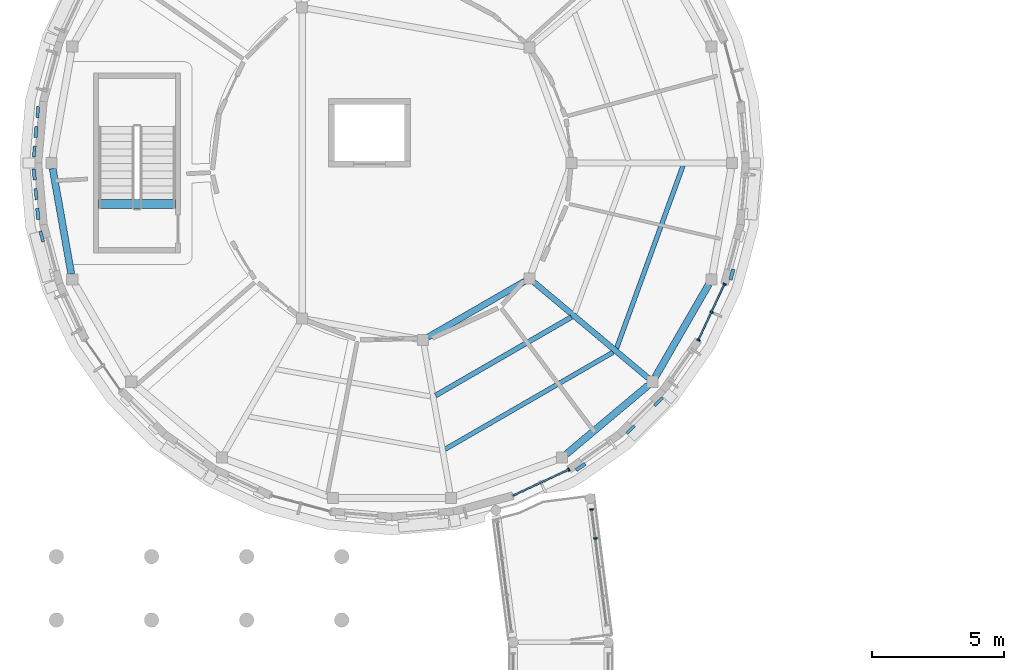
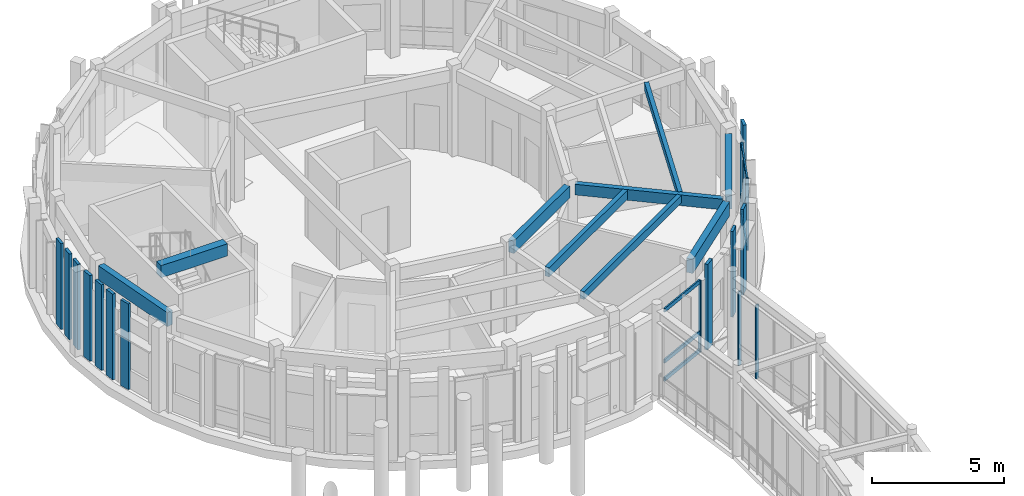
# One storey, part 19 of 80: 23 members, 9 beams, 3 elements without a shape of their own.
"""IFC4 building model written with IfcOpenShell, lengths in metres."""

from ifc_helpers import new_model, si_unit, direction, frame, origin, origin_2d, place, context, subcontext, project, spatial, rectangle, extrude, material, layer, layer_set, material_profile, profile_set, type_object, element, aggregate, save


model = new_model("IFC4")

# Units and contexts
model_context = context("Model", 3, precision=1e-05, world=origin(), true_north=direction((0.0, 1.0)))
body_context = subcontext(model_context, "Body", "Model", "MODEL_VIEW")
ifc_project = project(units=[si_unit("LENGTHUNIT", "METRE"), si_unit("AREAUNIT", "SQUARE_METRE"), si_unit("VOLUMEUNIT", "CUBIC_METRE"), si_unit("PLANEANGLEUNIT", "RADIAN"), si_unit("MASSUNIT", "GRAM", prefix="KILO")], contexts=[model_context])

# Site, building, storey
site_placement = place(None, origin())
site = spatial("IfcSite", under=ifc_project, at=site_placement, CompositionType="ELEMENT")
building_placement = place(site_placement, origin())
building = spatial("IfcBuilding", under=site, at=building_placement, Name="Aldenvaro Health Centre", CompositionType="ELEMENT")
storey_placement = place(building_placement, frame((0.0, 0.0, 4.550048828125)))
storey = spatial("IfcBuildingStorey", under=building, at=storey_placement, Name="L01", CompositionType="ELEMENT", Elevation=4.550048828125)

# Beams
ifc_material_1 = material(Name="Glulam GL28h", Category="wood")
ifc_material_profile_1 = material_profile(ifc_material_1, rectangle(XDim=0.175048828125, YDim=0.35009765625, at=origin_2d()), Name="GL 175x350", Category="wood")
ifc_profile_set_1 = profile_set([ifc_material_profile_1], Name="Glulam GL28h")
beam_type_1 = type_object("IfcBeamType", Name="BM-GL-350", PredefinedType="JOIST", material=ifc_profile_set_1)
beam_1_placement = place(storey_placement, frame((20.512939453125, 88.666015625, 3.780029296875), z_axis=(0.866036760986, 0.499980328234, 0.0), x_axis=(-0.499980328234, 0.866036760986, 0.0)))
element("IfcBeam", 1, at=beam_1_placement, inside=storey, type_object=beam_type_1, Name="D4 L01 secondary joist 05.2", PredefinedType="JOIST", context=body_context, shape_type="SweptSolid", body=[
    extrude(rectangle(XDim=0.175048828125, YDim=0.35009765625, at=origin_2d()), origin(), (0.0, 0.0, 1.0), 7.348388671875),
])
beam_2_placement = place(storey_placement, frame((27.006103515625, 92.493896484375, 3.780029296875), z_axis=(0.341985813082, 0.939705115263, 0.0), x_axis=(-0.939705115263, 0.341985813082, 0.0)))
element("IfcBeam", 2, at=beam_2_placement, inside=storey, type_object=beam_type_1, Name="D4 L01 secondary joist 06.2", PredefinedType="JOIST", context=body_context, shape_type="SweptSolid", body=[
    extrude(rectangle(XDim=0.175048828125, YDim=0.35009765625, at=origin_2d()), origin(), (0.0, 0.0, 1.0), 7.34814453125),
])
ifc_material_profile_2 = material_profile(ifc_material_1, rectangle(XDim=0.18994140625, YDim=0.41796875, at=origin_2d()), Name="GL 190x418", Category="wood")
ifc_profile_set_2 = profile_set([ifc_material_profile_2], Name="Glulam GL28h")
beam_type_2 = type_object("IfcBeamType", Name="BM-GL-418", PredefinedType="JOIST", material=ifc_profile_set_2)
beam_3_placement = place(storey_placement, frame((20.154052734375, 90.700927734375, 3.745849609375), z_axis=(0.866019093774, 0.5000109291, 0.0), x_axis=(-0.5000109291, 0.866019093774, 0.0)))
element("IfcBeam", 3, at=beam_3_placement, inside=storey, type_object=beam_type_2, Name="D4 L01 secondary joist 05.1", PredefinedType="JOIST", context=body_context, shape_type="SweptSolid", body=[
    extrude(rectangle(XDim=0.18994140625, YDim=0.41796875, at=origin_2d()), origin(), (0.0, 0.0, 1.0), 5.933837890625),
])
ifc_material_profile_3 = material_profile(ifc_material_1, rectangle(XDim=0.215087890625, YDim=0.493896484375, at=origin_2d()), Name="GL 215x494", Category="wood")
ifc_profile_set_3 = profile_set([ifc_material_profile_3], Name="Glulam GL28h")
beam_type_3 = type_object("IfcBeamType", Name="BM-GL-494", PredefinedType="BEAM", material=ifc_profile_set_3)
beam_4_placement = place(storey_placement, frame((23.8701171875, 94.993896484375, 3.7080078125), z_axis=(0.76607437865, -0.642751932222, 0.0), x_axis=(0.642751932222, 0.76607437865, 0.0)))
element("IfcBeam", 4, at=beam_4_placement, inside=storey, type_object=beam_type_3, Name="D4 L01 radial beam 06", PredefinedType="BEAM", context=body_context, shape_type="SweptSolid", body=[
    extrude(rectangle(XDim=0.215087890625, YDim=0.493896484375, at=origin_2d()), origin(), (0.0, 0.0, 1.0), 5.659912109375),
])
ifc_material_profile_4 = material_profile(ifc_material_1, rectangle(XDim=0.239990234375, YDim=0.570068359375, at=origin_2d()), Name="GL 240x570", Category="wood")
ifc_profile_set_4 = profile_set([ifc_material_profile_4], Name="Glulam GL28h")
beam_type_4 = type_object("IfcBeamType", Name="BM-GL-570", PredefinedType="BEAM", material=ifc_profile_set_4)
beam_5_placement = place(storey_placement, frame((19.863037109375, 92.907958984375, 3.669921875), z_axis=(0.865972251501, 0.500092051157, 0.0), x_axis=(-0.500092051157, 0.865972251501, 0.0)))
element("IfcBeam", 5, at=beam_5_placement, inside=storey, type_object=beam_type_4, Name="D4 L01 inner ring beam 05", PredefinedType="BEAM", context=body_context, shape_type="SweptSolid", body=[
    extrude(rectangle(XDim=0.239990234375, YDim=0.570068359375, at=origin_2d()), origin(), (0.0, 0.0, 1.0), 4.231201171875),
])
ifc_material_profile_5 = material_profile(ifc_material_1, rectangle(XDim=0.264892578125, YDim=0.64599609375, at=origin_2d()), Name="GL 265x646", Category="wood")
ifc_profile_set_5 = profile_set([ifc_material_profile_5], Name="Glulam GL28h")
beam_type_5 = type_object("IfcBeamType", Name="BM-GL-646", PredefinedType="SPANDREL", material=ifc_profile_set_5)
beam_6_placement = place(storey_placement, frame((5.656005859375, 99.29296875, 3.6318359375), z_axis=(0.173974340087, -0.984750186083, 0.0), x_axis=(0.984750186083, 0.173974340087, 0.0)))
element("IfcBeam", 6, at=beam_6_placement, inside=storey, type_object=beam_type_5, Name="D4 L01 perimeter spandrel 10", PredefinedType="SPANDREL", context=body_context, shape_type="SweptSolid", body=[
    extrude(rectangle(XDim=0.264892578125, YDim=0.64599609375, at=origin_2d()), origin(), (0.0, 0.0, 1.0), 4.052734375),
])
beam_7_placement = place(storey_placement, frame((25.10107421875, 88.48095703125, 3.6318359375), z_axis=(0.766093948171, 0.642728607248, 0.0), x_axis=(-0.642728607248, 0.766093948171, 0.0)))
element("IfcBeam", 7, at=beam_7_placement, inside=storey, type_object=beam_type_5, Name="D4 L01 perimeter spandrel 16", PredefinedType="SPANDREL", context=body_context, shape_type="SweptSolid", body=[
    extrude(rectangle(XDim=0.264892578125, YDim=0.64599609375, at=origin_2d()), origin(), (0.0, 0.0, 1.0), 4.052978515625),
])
beam_8_placement = place(storey_placement, frame((28.471923828125, 91.403076171875, 3.6318359375), z_axis=(0.499929300108, 0.866066218539, 0.0), x_axis=(-0.866066218539, 0.499929300108, 0.0)))
element("IfcBeam", 8, at=beam_8_placement, inside=storey, type_object=beam_type_5, Name="D4 L01 perimeter spandrel 17", PredefinedType="SPANDREL", context=body_context, shape_type="SweptSolid", body=[
    extrude(rectangle(XDim=0.264892578125, YDim=0.64599609375, at=origin_2d()), origin(), (0.0, 0.0, 1.0), 4.052734375),
])
ifc_material_2 = material(Name="Concrete f'c 40 MPa", Category="concrete")
ifc_material_profile_6 = material_profile(ifc_material_2, rectangle(XDim=0.35009765625, YDim=0.56005859375, at=origin_2d()), Name="RC 350x560", Category="concrete")
ifc_profile_set_6 = profile_set([ifc_material_profile_6], Name="Concrete f'c 40 MPa")
beam_type_6 = type_object("IfcBeamType", Name="BM-RC-560", PredefinedType="JOIST", material=ifc_profile_set_6)
beam_9_placement = place(storey_placement, frame((10.300048828125, 97.949951171875, 3.919921875), z_axis=(-1.0, 0.0, 0.0), x_axis=(0.0, -1.0, 0.0)))
element("IfcBeam", 9, at=beam_9_placement, inside=storey, type_object=beam_type_6, Name="ST-08 L02 stair landing trimmer beam", PredefinedType="JOIST", context=body_context, shape_type="SweptSolid", body=[
    extrude(rectangle(XDim=0.35009765625, YDim=0.56005859375, at=origin_2d()), origin(), (0.0, 0.0, 1.0), 2.900146484375),
])

# Curtain wall, members
ifc_material_3 = material(Name="Anodised Aluminium 6063-T6", Category="aluminium")
ifc_layer_1 = layer(ifc_material_3, 0.195068359375, Name="Anodised Aluminium 6063-T6", Category="aluminium")
ifc_layer_set_1 = layer_set([ifc_layer_1], Name="Anodised Aluminium 6063-T6")
curtain_wall_type_1 = type_object("IfcCurtainWallType", Name="CW-CLN-02", PredefinedType="NOTDEFINED", material=ifc_layer_set_1)
curtain_wall_1_placement = place(storey_placement, origin())
curtain_wall_1 = element("IfcCurtainWall", 10, at=curtain_wall_1_placement, inside=storey, type_object=curtain_wall_type_1, Name="D4 L01 curtain wall bay 03", PredefinedType="NOTDEFINED")
ifc_material_profile_7 = material_profile(ifc_material_3, rectangle(XDim=0.06005859375, YDim=0.135009765625, at=origin_2d()), Name="ALU 60x135", Category="aluminium")
ifc_profile_set_7 = profile_set([ifc_material_profile_7], Name="Anodised Aluminium 6063-T6")
member_type_1 = type_object("IfcMemberType", Name="CWM-150", PredefinedType="MULLION", material=ifc_profile_set_7)
member_1_placement = place(storey_placement, frame((31.092041015625, 94.9169921875, 0.0), z_axis=(0.0, 0.0, 1.0), x_axis=(-0.422557314215, -0.90633620484, 0.0)))
member_1 = element("IfcMember", 11, at=member_1_placement, type_object=member_type_1, Name="D4 L01 curtain wall bay 03 mullion 1", PredefinedType="MULLION", context=body_context, shape_type="SweptSolid", body=[
    extrude(rectangle(XDim=0.06005859375, YDim=0.135009765625, at=origin_2d()), origin(), (0.0, 0.0, 1.0), 3.308837890625),
])
member_2_placement = place(storey_placement, frame((30.59912109375, 93.85791015625, 0.0), z_axis=(0.0, 0.0, 1.0), x_axis=(-0.422557314215, -0.90633620484, 0.0)))
member_2 = element("IfcMember", 12, at=member_2_placement, type_object=member_type_1, Name="D4 L01 curtain wall bay 03 mullion 2", PredefinedType="MULLION", context=body_context, shape_type="SweptSolid", body=[
    extrude(rectangle(XDim=0.06005859375, YDim=0.135009765625, at=origin_2d()), origin(), (0.0, 0.0, 1.0), 3.308837890625),
])
member_3_placement = place(storey_placement, frame((30.10498046875, 92.800048828125, 0.0), z_axis=(0.0, 0.0, 1.0), x_axis=(-0.422557314215, -0.90633620484, 0.0)))
member_3 = element("IfcMember", 13, at=member_3_placement, type_object=member_type_1, Name="D4 L01 curtain wall bay 03 mullion 3", PredefinedType="MULLION", context=body_context, shape_type="SweptSolid", body=[
    extrude(rectangle(XDim=0.06005859375, YDim=0.135009765625, at=origin_2d()), origin(), (0.0, 0.0, 1.0), 3.308837890625),
])

# Curtain wall, member
curtain_wall_2_placement = place(storey_placement, origin())
curtain_wall_2 = element("IfcCurtainWall", 14, at=curtain_wall_2_placement, inside=storey, type_object=curtain_wall_type_1, Name="D4 L01 curtain wall bay 07", PredefinedType="NOTDEFINED")
member_4_placement = place(storey_placement, frame((25.199951171875, 87.89501953125, 0.0), z_axis=(0.0, 0.0, 1.0), x_axis=(-0.90633620484, -0.422557314215, 0.0)))
member_4 = element("IfcMember", 15, at=member_4_placement, type_object=member_type_1, Name="D4 L01 curtain wall bay 07 mullion 1", PredefinedType="MULLION", context=body_context, shape_type="SweptSolid", body=[
    extrude(rectangle(XDim=0.06005859375, YDim=0.135009765625, at=origin_2d()), origin(), (0.0, 0.0, 1.0), 3.308837890625),
])

# Curtain wall, members
ifc_layer_2 = layer(ifc_material_3, 0.2099609375, Name="Anodised Aluminium 6063-T6", Category="aluminium")
ifc_layer_set_2 = layer_set([ifc_layer_2], Name="Anodised Aluminium 6063-T6")
curtain_wall_type_2 = type_object("IfcCurtainWallType", Name="CW-BRG-03", PredefinedType="NOTDEFINED", material=ifc_layer_set_2)
curtain_wall_3_placement = place(storey_placement, origin())
curtain_wall_3 = element("IfcCurtainWall", 16, at=curtain_wall_3_placement, inside=storey, type_object=curtain_wall_type_2, Name="West North Curved Garden Walkway Arc 3 L01 glazed link wall R-1.1", PredefinedType="NOTDEFINED")
member_5_placement = place(storey_placement, frame((26.200927734375, 85.2900390625, 0.0), z_axis=(0.0, 0.0, 1.0), x_axis=(-0.127906689452, 0.991786206192, 0.0)))
member_5 = element("IfcMember", 17, at=member_5_placement, type_object=member_type_1, Name="West North Curved Garden Walkway Arc 3 L01 glazed link wall R-1.1 mullion 4", PredefinedType="MULLION", context=body_context, shape_type="SweptSolid", body=[
    extrude(rectangle(XDim=0.06005859375, YDim=0.135009765625, at=origin_2d()), origin(), (0.0, 0.0, 1.0), 3.409912109375),
])
member_6_placement = place(storey_placement, frame((26.06005859375, 86.385009765625, 0.0), z_axis=(0.0, 0.0, 1.0), x_axis=(-0.127906689452, 0.991786206192, 0.0)))
member_6 = element("IfcMember", 18, at=member_6_placement, type_object=member_type_1, Name="West North Curved Garden Walkway Arc 3 L01 glazed link wall R-1.1 mullion 5", PredefinedType="MULLION", context=body_context, shape_type="SweptSolid", body=[
    extrude(rectangle(XDim=0.06005859375, YDim=0.135009765625, at=origin_2d()), origin(), (0.0, 0.0, 1.0), 3.409912109375),
])
aggregate(curtain_wall_3, [member_5, member_6])

# Member
ifc_material_profile_8 = material_profile(ifc_material_3, rectangle(XDim=0.06494140625, YDim=0.179931640625, at=origin_2d()), Name="ALU 65x180", Category="aluminium")
ifc_profile_set_8 = profile_set([ifc_material_profile_8], Name="Anodised Aluminium 6063-T6")
member_type_2 = type_object("IfcMemberType", Name="CWT-150", PredefinedType="USERDEFINED", material=ifc_profile_set_8)
member_7_placement = place(storey_placement, frame((31.092041015625, 94.9169921875, 0.06005859375), z_axis=(-0.422587894318, -0.906321946979, 0.0), x_axis=(0.906321946979, -0.422587894318, 0.0)))
member_7 = element("IfcMember", 19, at=member_7_placement, type_object=member_type_2, Name="D4 L01 curtain wall bay 03 transom 1", ObjectType="TRANSOM", PredefinedType="USERDEFINED", context=body_context, shape_type="SweptSolid", body=[
    extrude(rectangle(XDim=0.06494140625, YDim=0.179931640625, at=origin_2d()), origin(), (0.0, 0.0, 1.0), 2.335693359375),
])

member_8_placement = place(storey_placement, frame((31.092041015625, 94.9169921875, 0.89990234375), z_axis=(-0.422587894318, -0.906321946979, 0.0), x_axis=(0.906321946979, -0.422587894318, 0.0)))
member_8 = element("IfcMember", 20, at=member_8_placement, type_object=member_type_2, Name="D4 L01 curtain wall bay 03 transom 2", ObjectType="TRANSOM", PredefinedType="USERDEFINED", context=body_context, shape_type="SweptSolid", body=[
    extrude(rectangle(XDim=0.06494140625, YDim=0.179931640625, at=origin_2d()), origin(), (0.0, 0.0, 1.0), 2.335693359375),
])

member_9_placement = place(storey_placement, frame((31.092041015625, 94.9169921875, 3.2490234375), z_axis=(-0.422587894318, -0.906321946979, 0.0), x_axis=(0.906321946979, -0.422587894318, 0.0)))
member_9 = element("IfcMember", 21, at=member_9_placement, type_object=member_type_2, Name="D4 L01 curtain wall bay 03 transom 3", ObjectType="TRANSOM", PredefinedType="USERDEFINED", context=body_context, shape_type="SweptSolid", body=[
    extrude(rectangle(XDim=0.06494140625, YDim=0.179931640625, at=origin_2d()), origin(), (0.0, 0.0, 1.0), 2.335693359375),
])

aggregate(curtain_wall_1, [member_1, member_2, member_3, member_7, member_8, member_9])

member_10_placement = place(storey_placement, frame((25.199951171875, 87.89501953125, 0.06005859375), z_axis=(-0.906321946979, -0.422587894318, 0.0), x_axis=(0.422587894318, -0.906321946979, 0.0)))
member_10 = element("IfcMember", 22, at=member_10_placement, type_object=member_type_2, Name="D4 L01 curtain wall bay 07 transom 1", ObjectType="TRANSOM", PredefinedType="USERDEFINED", context=body_context, shape_type="SweptSolid", body=[
    extrude(rectangle(XDim=0.06494140625, YDim=0.179931640625, at=origin_2d()), origin(), (0.0, 0.0, 1.0), 2.335693359375),
])

member_11_placement = place(storey_placement, frame((25.199951171875, 87.89501953125, 0.89990234375), z_axis=(-0.906321946979, -0.422587894318, 0.0), x_axis=(0.422587894318, -0.906321946979, 0.0)))
member_11 = element("IfcMember", 23, at=member_11_placement, type_object=member_type_2, Name="D4 L01 curtain wall bay 07 transom 2", ObjectType="TRANSOM", PredefinedType="USERDEFINED", context=body_context, shape_type="SweptSolid", body=[
    extrude(rectangle(XDim=0.06494140625, YDim=0.179931640625, at=origin_2d()), origin(), (0.0, 0.0, 1.0), 2.335693359375),
])

member_12_placement = place(storey_placement, frame((25.199951171875, 87.89501953125, 3.2490234375), z_axis=(-0.906321946979, -0.422587894318, 0.0), x_axis=(0.422587894318, -0.906321946979, 0.0)))
member_12 = element("IfcMember", 24, at=member_12_placement, type_object=member_type_2, Name="D4 L01 curtain wall bay 07 transom 3", ObjectType="TRANSOM", PredefinedType="USERDEFINED", context=body_context, shape_type="SweptSolid", body=[
    extrude(rectangle(XDim=0.06494140625, YDim=0.179931640625, at=origin_2d()), origin(), (0.0, 0.0, 1.0), 2.335693359375),
])

aggregate(curtain_wall_2, [member_4, member_10, member_11, member_12])

# Members
ifc_material_profile_9 = material_profile(ifc_material_1, rectangle(XDim=0.114990234375, YDim=0.419921875, at=origin_2d()), Name="GL 115x420", Category="wood")
ifc_profile_set_9 = profile_set([ifc_material_profile_9], Name="Glulam GL28h")
member_type_3 = type_object("IfcMemberType", Name="MEM-SLT-420A", PredefinedType="POST", material=ifc_profile_set_9)
for number, where, z_axis, x_axis, name in (
    (25, (28.592041015625, 90.466064453125, 0.0), (0.0, 0.0, 1.0), (0.707106781187, -0.707106781187, 0.0), "D4 L01 vertical timber slat 5.1"),
    (26, (27.533935546875, 89.407958984375, 0.0), (0.0, 0.0, 1.0), (0.707106781187, -0.707106781187, 0.0), "D4 L01 vertical timber slat 5.3"),
    (27, (5.243896484375, 96.721923828125, 0.0), (0.0, 0.0, 1.0), (-0.965978620089, -0.258621935517, 0.0), "D4 L01 vertical timber slat 17.3"),
    (28, (5.028076171875, 98.321044921875, 0.0), (0.0, 0.0, 1.0), (-0.996179299052, -0.087331575855, 0.0), "D4 L01 vertical timber slat 18.2"),
    (29, (4.9619140625, 99.93408203125, 0.0), (0.0, 0.0, 1.0), (-0.996179299052, 0.087331575855, 0.0), "D4 L01 vertical timber slat 19.1"),
    (30, (5.093017578125, 101.424072265625, 0.0), (0.0, 0.0, 1.0), (-0.996179299052, 0.087331575855, 0.0), "D4 L01 vertical timber slat 19.3"),
):
    element("IfcMember", number, at=place(storey_placement, frame(where, z_axis=z_axis, x_axis=x_axis)), inside=storey, type_object=member_type_3, Name=name, PredefinedType="POST", context=body_context, shape_type="SweptSolid", body=[
        extrude(rectangle(XDim=0.114990234375, YDim=0.419921875, at=origin_2d()), origin(), (0.0, 0.0, 1.0), 3.954833984375),
    ])
ifc_material_profile_10 = material_profile(ifc_material_1, rectangle(XDim=0.1298828125, YDim=0.419921875, at=origin_2d()), Name="GL 130x420", Category="wood")
ifc_profile_set_10 = profile_set([ifc_material_profile_10], Name="Glulam GL28h")
member_type_4 = type_object("IfcMemberType", Name="MEM-SLT-420B", PredefinedType="POST", material=ifc_profile_set_10)
for number, where, z_axis, x_axis, name in (
    (31, (31.3701171875, 95.277099609375, 0.0), (0.0, 0.0, 1.0), (0.965978620089, -0.258621935517, 0.0), "D4 L01 vertical timber slat 2.3"),
    (32, (25.64404296875, 87.992919921875, 0.0), (0.0, 0.0, 1.0), (0.573720929857, -0.819050849853, 0.0), "D4 L01 vertical timber slat 6.3"),
    (33, (5.093017578125, 97.575927734375, 0.0), (0.0, 0.0, 1.0), (-0.996179299052, -0.087331575855, 0.0), "D4 L01 vertical timber slat 18.1"),
    (34, (4.9619140625, 99.06591796875, 0.0), (0.0, 0.0, 1.0), (-0.996179299052, -0.087331575855, 0.0), "D4 L01 vertical timber slat 18.3"),
    (35, (5.028076171875, 100.678955078125, 0.0), (0.0, 0.0, 1.0), (-0.996179299052, 0.087331575855, 0.0), "D4 L01 vertical timber slat 19.2"),
):
    element("IfcMember", number, at=place(storey_placement, frame(where, z_axis=z_axis, x_axis=x_axis)), inside=storey, type_object=member_type_4, Name=name, PredefinedType="POST", context=body_context, shape_type="SweptSolid", body=[
        extrude(rectangle(XDim=0.1298828125, YDim=0.419921875, at=origin_2d()), origin(), (0.0, 0.0, 1.0), 3.954833984375),
    ])

save(model, "model.ifc")
